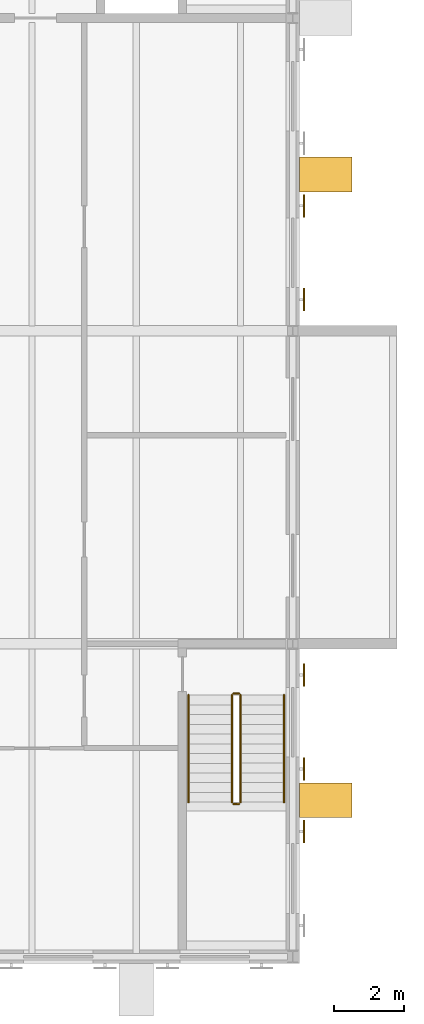
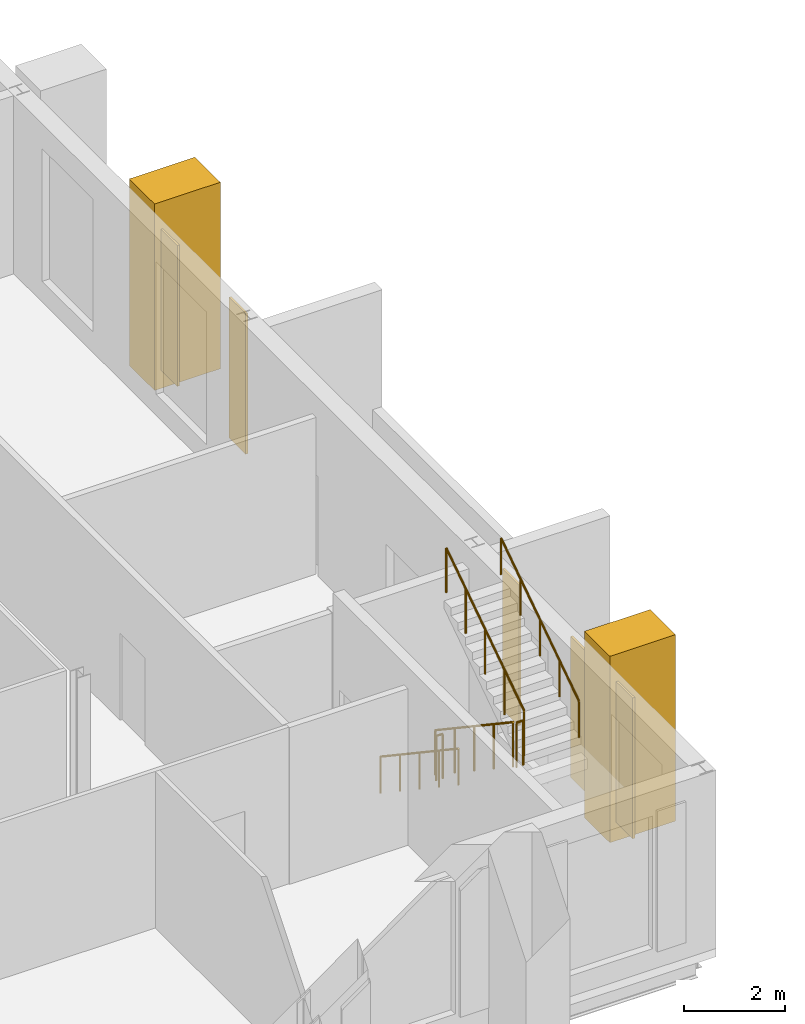
# One storey, part 130 of 134: 6 railings, 5 shading devices, 2 coverings.
"""IFC4 building model written with IfcOpenShell, lengths in metres."""

from ifc_helpers import new_model, si_unit, direction, frame, origin, origin_2d, place, context, subcontext, project, spatial, polyline, rectangle, circle, outline, extrude, material, type_object, element, save


model = new_model("IFC4")

# Units and contexts
model_context = context("Model", 3, precision=1e-05, world=origin(), true_north=direction((0.0, 1.0)))
body_context = subcontext(model_context, "Body", "Model", "MODEL_VIEW")
ifc_project = project(units=[si_unit("LENGTHUNIT", "METRE"), si_unit("AREAUNIT", "SQUARE_METRE"), si_unit("VOLUMEUNIT", "CUBIC_METRE"), si_unit("PLANEANGLEUNIT", "RADIAN"), si_unit("MASSUNIT", "GRAM", prefix="KILO")], contexts=[model_context])

# Site, building, storey
site_placement = place(None, origin())
site = spatial("IfcSite", under=ifc_project, at=site_placement, CompositionType="ELEMENT")
building_placement = place(site_placement, origin())
building = spatial("IfcBuilding", under=site, at=building_placement, Name="Golden Quay Civic Hall", CompositionType="ELEMENT")
storey_placement = place(building_placement, frame((0.0, 0.0, 5.39990234375)))
storey = spatial("IfcBuildingStorey", under=building, at=storey_placement, Name="L01", CompositionType="ELEMENT", Elevation=5.39990234375)

# Coverings
ifc_material_1 = material(Name="Brick, dark clay facing", Category="masonry")
covering_type = type_object("IfcCoveringType", Name="Brick pier cladding 1000 x 1500", PredefinedType="CLADDING", material=ifc_material_1)
covering_1_placement = place(storey_placement, origin())
element("IfcCovering", 1, at=covering_1_placement, inside=storey, type_object=covering_type, Name="Brick pier cladding 1000 x 1500 L01 12", PredefinedType="CLADDING", context=body_context, shape_type="SweptSolid", body=[
    extrude(outline(polyline([(171.199951171875, 67.0), (171.199951171875, 68.0), (172.699951171875, 68.0), (172.699951171875, 67.0), (171.199951171875, 67.0)])), origin(), (0.0, 0.0, 1.0), 4.5),
])
covering_2_placement = place(storey_placement, origin())
element("IfcCovering", 2, at=covering_2_placement, inside=storey, type_object=covering_type, Name="Brick pier cladding 1000 x 1500 L01 13", PredefinedType="CLADDING", context=body_context, shape_type="SweptSolid", body=[
    extrude(outline(polyline([(171.199951171875, 85.0), (171.199951171875, 86.0), (172.699951171875, 86.0), (172.699951171875, 85.0), (171.199951171875, 85.0)])), origin(), (0.0, 0.0, 1.0), 4.5),
])

# Railings
ifc_material_2 = material(Name="Steel S355", Category="steel")
railing_type_1 = type_object("IfcRailingType", Name="Steel guard 1100", PredefinedType="GUARDRAIL", material=ifc_material_2)
railing_1_placement = place(storey_placement, frame((169.25, 70.52490234375, 0.1875)))
element("IfcRailing", 3, at=railing_1_placement, inside=storey, type_object=railing_type_1, Name="L01 LB-STS stair guard 1", PredefinedType="GUARDRAIL", context=body_context, shape_type="SweptSolid", body=[
    extrude(circle(Radius=0.02392578125, at=origin_2d()), frame((0.0, 0.0, 1.076171875), z_axis=(0.0, -0.830893310487, 0.556431762742), x_axis=(1.0, 0.0, 0.0)), (0.0, 0.0, 1.0), 3.70654296875),
    extrude(circle(Radius=0.02099609375, at=origin_2d()), origin(), (0.0, 0.0, 1.0), 1.052001953125),
    extrude(circle(Radius=0.02099609375, at=origin_2d()), frame((0.0, -0.77001953125, 0.515625)), (0.0, 0.0, 1.0), 1.052001953125),
    extrude(circle(Radius=0.02099609375, at=origin_2d()), frame((0.0, -1.5400390625, 1.03125)), (0.0, 0.0, 1.0), 1.052001953125),
    extrude(circle(Radius=0.02099609375, at=origin_2d()), frame((0.0, -2.309814453125, 1.546875)), (0.0, 0.0, 1.0), 1.052001953125),
    extrude(circle(Radius=0.02099609375, at=origin_2d()), frame((0.0, -3.079833984375, 2.0625)), (0.0, 0.0, 1.0), 1.052001953125),
])
railing_2_placement = place(storey_placement, frame((169.300048828125, 67.39501953125, 2.25)))
element("IfcRailing", 4, at=railing_2_placement, inside=storey, type_object=railing_type_1, Name="L01 LB-STS stair guard 2", PredefinedType="GUARDRAIL", context=body_context, shape_type="SweptSolid", body=[
    extrude(circle(Radius=0.02392578125, at=origin_2d()), frame((0.0, 0.0, 1.076171875), z_axis=(1.0, 0.0, 0.0), x_axis=(0.0, 1.0, 0.0)), (0.0, 0.0, 1.0), 0.14990234375),
    extrude(circle(Radius=0.02099609375, at=origin_2d()), origin(), (0.0, 0.0, 1.0), 1.052001953125),
    extrude(circle(Radius=0.02099609375, at=origin_2d()), frame((0.14990234375, 0.0, 0.0)), (0.0, 0.0, 1.0), 1.052001953125),
])
railing_3_placement = place(storey_placement, frame((169.5, 67.445068359375, 2.4375)))
element("IfcRailing", 5, at=railing_3_placement, inside=storey, type_object=railing_type_1, Name="L01 LB-STS stair guard 3", PredefinedType="GUARDRAIL", context=body_context, shape_type="SweptSolid", body=[
    extrude(circle(Radius=0.02392578125, at=origin_2d()), frame((0.0, 0.0, 1.076171875), z_axis=(0.0, 0.830893310487, 0.556431762742), x_axis=(-1.0, 0.0, 0.0)), (0.0, 0.0, 1.0), 3.70654296875),
    extrude(circle(Radius=0.02099609375, at=origin_2d()), origin(), (0.0, 0.0, 1.0), 1.052001953125),
    extrude(circle(Radius=0.02099609375, at=origin_2d()), frame((0.0, 0.77001953125, 0.515625)), (0.0, 0.0, 1.0), 1.052001953125),
    extrude(circle(Radius=0.02099609375, at=origin_2d()), frame((0.0, 1.5400390625, 1.03125)), (0.0, 0.0, 1.0), 1.052001953125),
    extrude(circle(Radius=0.02099609375, at=origin_2d()), frame((0.0, 2.309814453125, 1.546875)), (0.0, 0.0, 1.0), 1.052001953125),
    extrude(circle(Radius=0.02099609375, at=origin_2d()), frame((0.0, 3.079833984375, 2.0625)), (0.0, 0.0, 1.0), 1.052001953125),
])
railing_4_placement = place(storey_placement, frame((169.300048828125, 70.574951171875, 0.0)))
element("IfcRailing", 6, at=railing_4_placement, inside=storey, type_object=railing_type_1, Name="L01 LB-STS stair guard 4", PredefinedType="GUARDRAIL", context=body_context, shape_type="SweptSolid", body=[
    extrude(circle(Radius=0.02392578125, at=origin_2d()), frame((0.0, 0.0, 1.076171875), z_axis=(1.0, 0.0, 0.0), x_axis=(0.0, 1.0, 0.0)), (0.0, 0.0, 1.0), 0.14990234375),
    extrude(circle(Radius=0.02099609375, at=origin_2d()), origin(), (0.0, 0.0, 1.0), 1.052001953125),
    extrude(circle(Radius=0.02099609375, at=origin_2d()), frame((0.14990234375, 0.0, 0.0)), (0.0, 0.0, 1.0), 1.052001953125),
])
ifc_material_3 = material(Name="Steel S355", Category="steel")
railing_type_2 = type_object("IfcRailingType", Name="Steel handrail 900", PredefinedType="HANDRAIL", material=ifc_material_3)
railing_5_placement = place(storey_placement, frame((168.0, 70.52490234375, 0.1875)))
element("IfcRailing", 7, at=railing_5_placement, inside=storey, type_object=railing_type_2, Name="L01 LB-STS stair handrail 1", PredefinedType="HANDRAIL", context=body_context, shape_type="SweptSolid", body=[
    extrude(circle(Radius=0.02392578125, at=origin_2d()), frame((0.0, 0.0, 0.8759765625), z_axis=(0.0, -0.830893310487, 0.556431762742), x_axis=(1.0, 0.0, 0.0)), (0.0, 0.0, 1.0), 3.70654296875),
    extrude(circle(Radius=0.02099609375, at=origin_2d()), origin(), (0.0, 0.0, 1.0), 0.851806640625),
    extrude(circle(Radius=0.02099609375, at=origin_2d()), frame((0.0, -0.77001953125, 0.515625)), (0.0, 0.0, 1.0), 0.851806640625),
    extrude(circle(Radius=0.02099609375, at=origin_2d()), frame((0.0, -1.5400390625, 1.03125)), (0.0, 0.0, 1.0), 0.851806640625),
    extrude(circle(Radius=0.02099609375, at=origin_2d()), frame((0.0, -2.309814453125, 1.546875)), (0.0, 0.0, 1.0), 0.851806640625),
    extrude(circle(Radius=0.02099609375, at=origin_2d()), frame((0.0, -3.079833984375, 2.0625)), (0.0, 0.0, 1.0), 0.851806640625),
])
railing_6_placement = place(storey_placement, frame((170.75, 67.445068359375, 2.4375)))
element("IfcRailing", 8, at=railing_6_placement, inside=storey, type_object=railing_type_2, Name="L01 LB-STS stair handrail 2", PredefinedType="HANDRAIL", context=body_context, shape_type="SweptSolid", body=[
    extrude(circle(Radius=0.02392578125, at=origin_2d()), frame((0.0, 0.0, 0.8759765625), z_axis=(0.0, 0.830893310487, 0.556431762742), x_axis=(-1.0, 0.0, 0.0)), (0.0, 0.0, 1.0), 3.70654296875),
    extrude(circle(Radius=0.02099609375, at=origin_2d()), origin(), (0.0, 0.0, 1.0), 0.851806640625),
    extrude(circle(Radius=0.02099609375, at=origin_2d()), frame((0.0, 0.77001953125, 0.515625)), (0.0, 0.0, 1.0), 0.851806640625),
    extrude(circle(Radius=0.02099609375, at=origin_2d()), frame((0.0, 1.5400390625, 1.03125)), (0.0, 0.0, 1.0), 0.851806640625),
    extrude(circle(Radius=0.02099609375, at=origin_2d()), frame((0.0, 2.309814453125, 1.546875)), (0.0, 0.0, 1.0), 0.851806640625),
    extrude(circle(Radius=0.02099609375, at=origin_2d()), frame((0.0, 3.079833984375, 2.0625)), (0.0, 0.0, 1.0), 0.851806640625),
])

# Shading devices
ifc_material_4 = material(Name="Timber", Category="wood")
shading_device_type = type_object("IfcShadingDeviceType", Name="Timber storm shutter leaf 650 x 3400", PredefinedType="SHUTTER", material=ifc_material_4)
for number, where, z_axis, x_axis, name in (
    (9, (171.324951171875, 66.60009765625, 0.500244140625), (0.0, 0.0, 1.0), (1.0, 0.0, 0.0), "Storm shutter L01-E22b"),
    (10, (171.324951171875, 68.39990234375, 0.500244140625), (0.0, 0.0, 1.0), (1.0, 0.0, 0.0), "Storm shutter L01-E67a"),
    (11, (171.324951171875, 71.10009765625, 0.500244140625), (0.0, 0.0, 1.0), (1.0, 0.0, 0.0), "Storm shutter L01-E67b"),
    (12, (171.324951171875, 81.89990234375, 0.500244140625), (0.0, 0.0, 1.0), (1.0, 0.0, 0.0), "Storm shutter L01-E202a"),
    (13, (171.324951171875, 84.60009765625, 0.500244140625), (0.0, 0.0, 1.0), (1.0, 0.0, 0.0), "Storm shutter L01-E202b"),
):
    element("IfcShadingDevice", number, at=place(storey_placement, frame(where, z_axis=z_axis, x_axis=x_axis)), inside=storey, type_object=shading_device_type, Name=name, PredefinedType="SHUTTER", context=body_context, shape_type="SweptSolid", body=[
        extrude(rectangle(XDim=0.050048828125, YDim=0.64990234375, at=origin_2d()), origin(), (0.0, 0.0, 1.0), 3.39990234375),
    ])

save(model, "model.ifc")
